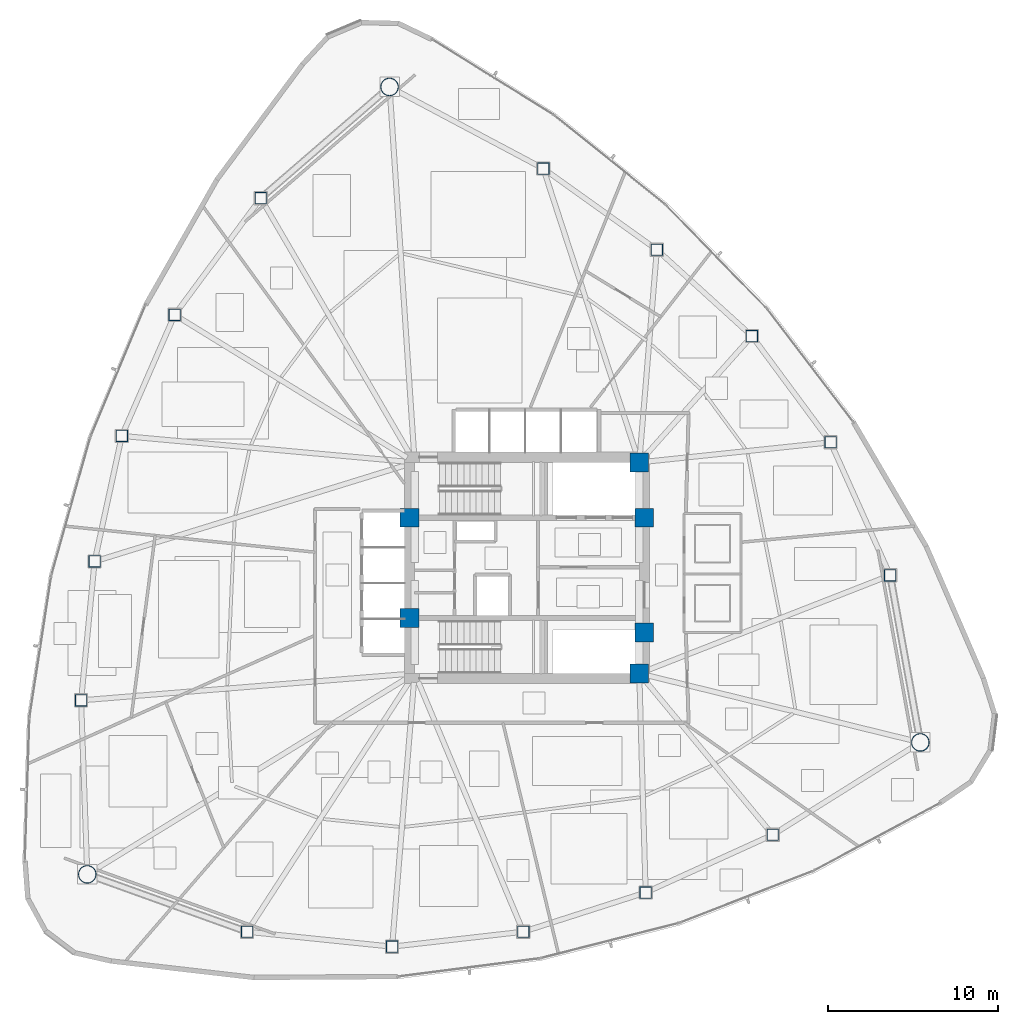
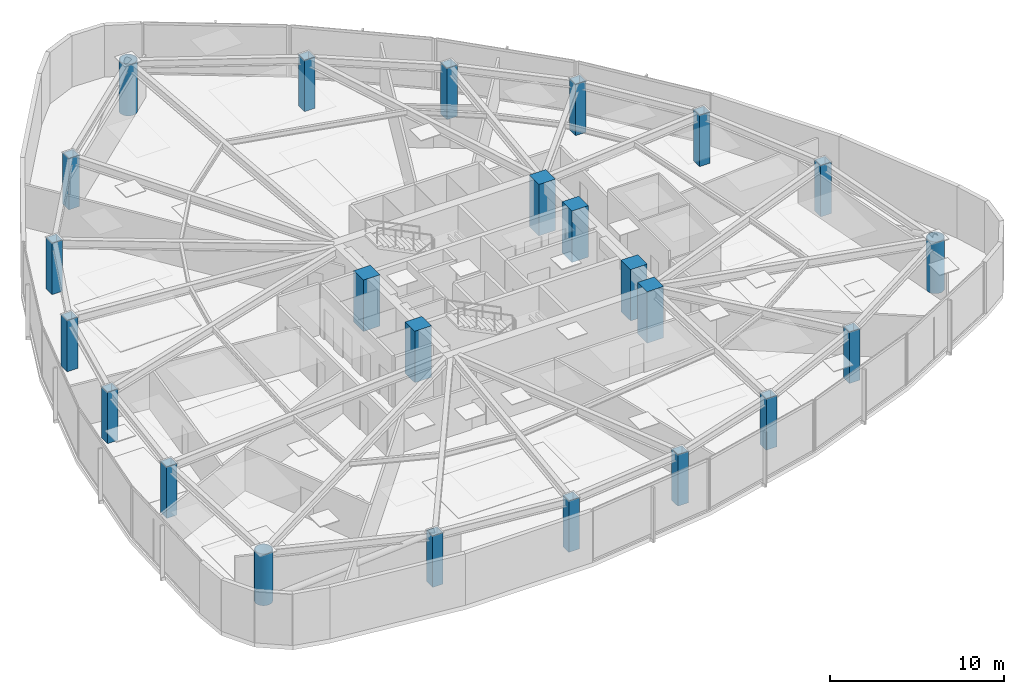
# One storey, part 1 of 17: 24 columns.
"""IFC4 building model written with IfcOpenShell, lengths in metres."""

from ifc_helpers import new_model, si_unit, direction, frame, origin, origin_2d, place, context, subcontext, project, spatial, rectangle, hollow_rectangle, hollow_circle, extrude, material, material_profile, profile_set, type_object, element, save


model = new_model("IFC4")

# Units and contexts
model_context = context("Model", 3, precision=1e-05, world=origin(), true_north=direction((0.0, 1.0)))
body_context = subcontext(model_context, "Body", "Model", "MODEL_VIEW")
ifc_project = project(units=[si_unit("LENGTHUNIT", "METRE"), si_unit("AREAUNIT", "SQUARE_METRE"), si_unit("VOLUMEUNIT", "CUBIC_METRE"), si_unit("PLANEANGLEUNIT", "RADIAN"), si_unit("MASSUNIT", "GRAM", prefix="KILO")], contexts=[model_context])

# Site, building, storey
site_placement = place(None, origin())
site = spatial("IfcSite", under=ifc_project, at=site_placement, CompositionType="ELEMENT")
building_placement = place(site_placement, origin())
building = spatial("IfcBuilding", under=site, at=building_placement, Name="Tavelor Broadcast Tower", CompositionType="ELEMENT")
storey_placement = place(building_placement, frame((0.0, 0.0, 70.5)))
storey = spatial("IfcBuildingStorey", under=building, at=storey_placement, Name="L16", CompositionType="ELEMENT", Elevation=70.5)

# Columns
ifc_material_1 = material(Name="Concrete C60/75", Category="concrete")
ifc_material_profile_1 = material_profile(ifc_material_1, rectangle(XDim=1.10009765625, YDim=1.10009765625, at=origin_2d()), Name="RC 1100x1100")
ifc_profile_set_1 = profile_set([ifc_material_profile_1], Name="Concrete C60/75")
column_type_1 = type_object("IfcColumnType", Name="Core Embedded Composite Column RC1100", PredefinedType="COLUMN", material=ifc_profile_set_1)
for number, where, z_axis, x_axis, name in (
    (1, (43.10009765625, 47.949951171875, 0.0), (0.0, 0.0, 1.0), (1.0, 0.0, 0.0), "L16 Core Embedded Column 1"),
    (2, (56.89990234375, 47.949951171875, 0.0), (0.0, 0.0, 1.0), (1.0, 0.0, 0.0), "L16 Core Embedded Column 2"),
    (3, (56.60009765625, 51.199951171875, 0.0), (0.0, 0.0, 1.0), (1.0, 0.0, 0.0), "L16 Core Embedded Column 3"),
    (4, (43.10009765625, 42.050048828125, 0.0), (0.0, 0.0, 1.0), (1.0, 0.0, 0.0), "L16 Core Embedded Column 4"),
    (5, (56.89990234375, 41.199951171875, 0.0), (0.0, 0.0, 1.0), (1.0, 0.0, 0.0), "L16 Core Embedded Column 5"),
    (6, (56.60009765625, 38.800048828125, 0.0), (0.0, 0.0, 1.0), (1.0, 0.0, 0.0), "L16 Core Embedded Column 6"),
):
    element("IfcColumn", number, at=place(storey_placement, frame(where, z_axis=z_axis, x_axis=x_axis)), inside=storey, type_object=column_type_1, Name=name, PredefinedType="COLUMN", context=body_context, shape_type="SweptSolid", body=[
        extrude(rectangle(XDim=1.10009765625, YDim=1.10009765625, at=origin_2d()), origin(), (0.0, 0.0, 1.0), 3.60009765625),
    ])
ifc_material_2 = material(Name="Steel S460", Category="steel")
ifc_material_profile_2 = material_profile(ifc_material_2, hollow_rectangle(XDim=0.699951171875, YDim=0.699951171875, WallThickness=0.0400390625, at=origin_2d()), Name="SHS 700x700x40")
ifc_profile_set_2 = profile_set([ifc_material_profile_2], Name="Steel S460")
column_type_2 = type_object("IfcColumnType", Name="Perimeter Tube Column T2 SHS 700x700x40", PredefinedType="COLUMN", material=ifc_profile_set_2)
for number, where, z_axis, x_axis, name in (
    (7, (34.356201171875, 66.727783203125, 0.0), (0.0, 0.0, 1.0), (1.0, 0.0, 0.0), "L16 Perimeter Framed-Tube Column 02"),
    (8, (29.292236328125, 59.87158203125, 0.0), (0.0, 0.0, 1.0), (1.0, 0.0, 0.0), "L16 Perimeter Framed-Tube Column 03"),
    (9, (26.189208984375, 52.75830078125, 0.0), (0.0, 0.0, 1.0), (1.0, 0.0, 0.0), "L16 Perimeter Framed-Tube Column 04"),
    (10, (24.58984375, 45.380615234375, 0.0), (0.0, 0.0, 1.0), (1.0, 0.0, 0.0), "L16 Perimeter Framed-Tube Column 05"),
    (11, (23.794677734375, 37.21630859375, 0.0), (0.0, 0.0, 1.0), (1.0, 0.0, 0.0), "L16 Perimeter Framed-Tube Column 06"),
    (12, (33.55078125, 23.615478515625, 0.0), (0.0, 0.0, 1.0), (1.0, 0.0, 0.0), "L16 Perimeter Framed-Tube Column 08"),
    (13, (42.0732421875, 22.740478515625, 0.0), (0.0, 0.0, 1.0), (1.0, 0.0, 0.0), "L16 Perimeter Framed-Tube Column 09"),
    (14, (49.78662109375, 23.617919921875, 0.0), (0.0, 0.0, 1.0), (1.0, 0.0, 0.0), "L16 Perimeter Framed-Tube Column 10"),
    (15, (56.975341796875, 25.92138671875, 0.0), (0.0, 0.0, 1.0), (1.0, 0.0, 0.0), "L16 Perimeter Framed-Tube Column 11"),
    (16, (64.443603515625, 29.31494140625, 0.0), (0.0, 0.0, 1.0), (1.0, 0.0, 0.0), "L16 Perimeter Framed-Tube Column 12"),
    (17, (71.343994140625, 44.564697265625, 0.0), (0.0, 0.0, 1.0), (1.0, 0.0, 0.0), "L16 Perimeter Framed-Tube Column 14"),
    (18, (67.8408203125, 52.382568359375, 0.0), (0.0, 0.0, 1.0), (1.0, 0.0, 0.0), "L16 Perimeter Framed-Tube Column 15"),
    (19, (63.22412109375, 58.623779296875, 0.0), (0.0, 0.0, 1.0), (1.0, 0.0, 0.0), "L16 Perimeter Framed-Tube Column 16"),
    (20, (57.634765625, 63.69775390625, 0.0), (0.0, 0.0, 1.0), (1.0, 0.0, 0.0), "L16 Perimeter Framed-Tube Column 17"),
    (21, (50.9619140625, 68.468505859375, 0.0), (0.0, 0.0, 1.0), (1.0, 0.0, 0.0), "L16 Perimeter Framed-Tube Column 18"),
):
    element("IfcColumn", number, at=place(storey_placement, frame(where, z_axis=z_axis, x_axis=x_axis)), inside=storey, type_object=column_type_2, Name=name, PredefinedType="COLUMN", context=body_context, shape_type="SweptSolid", body=[
        extrude(hollow_rectangle(XDim=0.699951171875, YDim=0.699951171875, WallThickness=0.0400390625, at=origin_2d()), origin(), (0.0, 0.0, 1.0), 3.60009765625),
    ])
ifc_material_profile_3 = material_profile(ifc_material_2, hollow_circle(Radius=0.533447265625, WallThickness=0.044921875, at=origin_2d()), Name="CHS 1067x45")
ifc_profile_set_3 = profile_set([ifc_material_profile_3], Name="Steel S460")
column_type_3 = type_object("IfcColumnType", Name="Tower Mega Column T2 CHS 1067x45", PredefinedType="COLUMN", material=ifc_profile_set_3)
for number, where, z_axis, x_axis, name in (
    (22, (41.923095703125, 73.266357421875, 0.0), (0.0, 0.0, 1.0), (1.0, 0.0, 0.0), "L16 Tower Corner Mega Column 01"),
    (23, (24.1591796875, 26.98974609375, 0.0), (0.0, 0.0, 1.0), (1.0, 0.0, 0.0), "L16 Tower Corner Mega Column 07"),
    (24, (73.117919921875, 34.743896484375, 0.0), (0.0, 0.0, 1.0), (1.0, 0.0, 0.0), "L16 Tower Corner Mega Column 13"),
):
    element("IfcColumn", number, at=place(storey_placement, frame(where, z_axis=z_axis, x_axis=x_axis)), inside=storey, type_object=column_type_3, Name=name, PredefinedType="COLUMN", context=body_context, shape_type="SweptSolid", body=[
        extrude(hollow_circle(Radius=0.533447265625, WallThickness=0.044921875, at=origin_2d()), origin(), (0.0, 0.0, 1.0), 3.60009765625),
    ])

save(model, "model.ifc")
